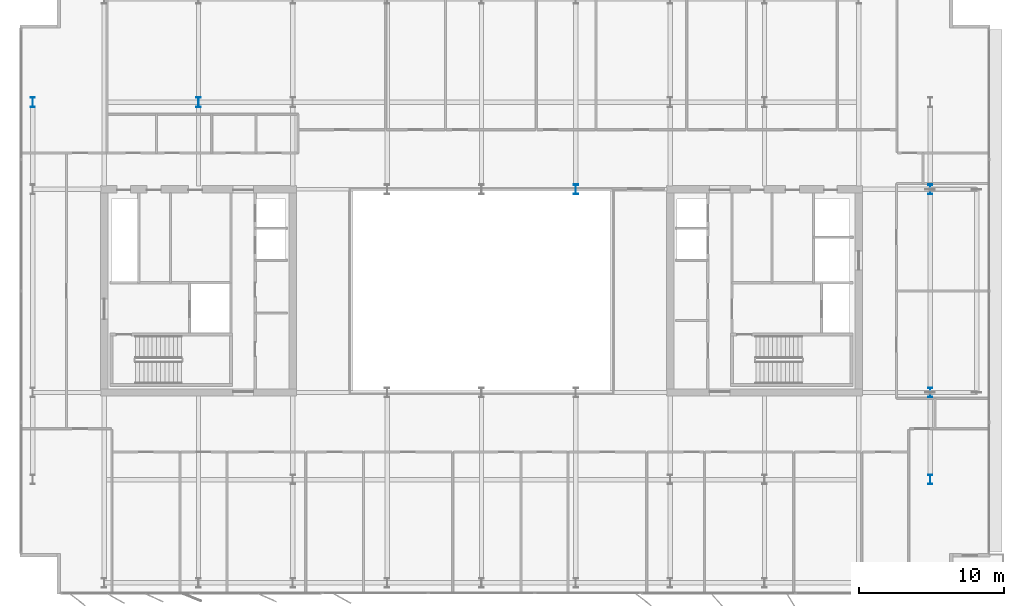
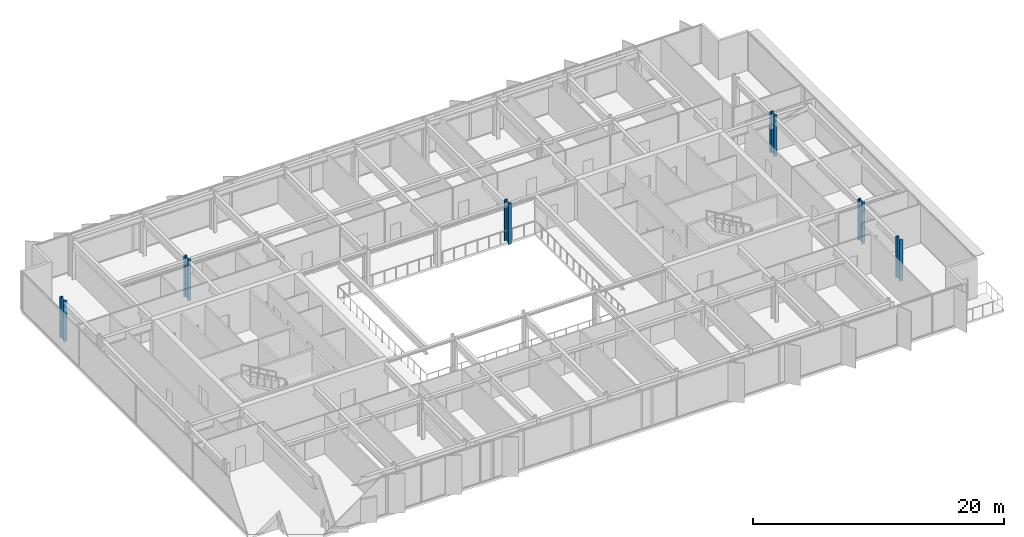
# One storey, part 2 of 20: 6 columns.
"""IFC4 building model written with IfcOpenShell, lengths in metres."""

from ifc_helpers import new_model, si_unit, direction, frame, origin, origin_2d, place, context, subcontext, project, spatial, i_section, extrude, material, material_profile, profile_set, type_object, element, save


model = new_model("IFC4")

# Units and contexts
model_context = context("Model", 3, precision=1e-05, world=origin(), true_north=direction((0.0, 1.0)))
body_context = subcontext(model_context, "Body", "Model", "MODEL_VIEW")
ifc_project = project(units=[si_unit("LENGTHUNIT", "METRE"), si_unit("AREAUNIT", "SQUARE_METRE"), si_unit("VOLUMEUNIT", "CUBIC_METRE"), si_unit("PLANEANGLEUNIT", "RADIAN"), si_unit("MASSUNIT", "GRAM", prefix="KILO")], contexts=[model_context])

# Site, building, storey
site_placement = place(None, origin())
site = spatial("IfcSite", under=ifc_project, at=site_placement, CompositionType="ELEMENT")
building_placement = place(site_placement, origin())
building = spatial("IfcBuilding", under=site, at=building_placement, Name="Putna Gate Headquarters", CompositionType="ELEMENT")
storey_placement = place(building_placement, frame((0.0, 0.0, 302.39990234375)))
storey = spatial("IfcBuildingStorey", under=building, at=storey_placement, Name="L76", CompositionType="ELEMENT", Elevation=302.39990234375)

# Columns
ifc_material = material(Name="Steel S460M", Category="steel")
ifc_material_profile_1 = material_profile(ifc_material, i_section(OverallWidth=0.304931640625, OverallDepth=0.66796875, WebThickness=0.02099609375, FlangeThickness=0.0400390625, at=origin_2d()), Name="Steel S460M")
ifc_profile_set_1 = profile_set([ifc_material_profile_1], Name="Steel S460M")
column_type_1 = type_object("IfcColumnType", Name="COL-STL-HEM650-EXT", PredefinedType="COLUMN", material=ifc_profile_set_1)
for number, where, z_axis, x_axis, name in (
    (1, (69.919921875, 13.0, 0.0), (0.0, 0.0, 1.0), (1.0, 0.0, 0.0), "L76 Column CP-E13"),
    (2, (69.919921875, 19.0, 0.0), (0.0, 0.0, 1.0), (1.0, 0.0, 0.0), "L76 Column CP-E19"),
    (3, (69.919921875, 33.0, 0.0), (0.0, 0.0, 1.0), (1.0, 0.0, 0.0), "L76 Column CP-E33"),
    (4, (8.080078125, 39.0, 0.0), (0.0, 0.0, 1.0), (1.0, 0.0, 0.0), "L76 Column CP-W39"),
):
    element("IfcColumn", number, at=place(storey_placement, frame(where, z_axis=z_axis, x_axis=x_axis)), inside=storey, type_object=column_type_1, Name=name, PredefinedType="COLUMN", context=body_context, shape_type="SweptSolid", body=[
        extrude(i_section(OverallWidth=0.304931640625, OverallDepth=0.66796875, WebThickness=0.02099609375, FlangeThickness=0.0400390625, at=origin_2d()), origin(), (0.0, 0.0, 1.0), 4.0),
    ])
ifc_material_profile_2 = material_profile(ifc_material, i_section(OverallWidth=0.304931640625, OverallDepth=0.66796875, WebThickness=0.02099609375, FlangeThickness=0.0400390625, at=origin_2d()), Name="Steel S460M")
ifc_profile_set_2 = profile_set([ifc_material_profile_2], Name="Steel S460M")
column_type_2 = type_object("IfcColumnType", Name="COL-STL-HEM650-INT", PredefinedType="COLUMN", material=ifc_profile_set_2)
for number, where, z_axis, x_axis, name in (
    (5, (19.5, 39.0, 0.0), (0.0, 0.0, 1.0), (1.0, 0.0, 0.0), "L76 Column CSI-WN"),
    (6, (45.5, 33.0, 0.0), (0.0, 0.0, 1.0), (1.0, 0.0, 0.0), "L76 Column CAI-N45"),
):
    element("IfcColumn", number, at=place(storey_placement, frame(where, z_axis=z_axis, x_axis=x_axis)), inside=storey, type_object=column_type_2, Name=name, PredefinedType="COLUMN", context=body_context, shape_type="SweptSolid", body=[
        extrude(i_section(OverallWidth=0.304931640625, OverallDepth=0.66796875, WebThickness=0.02099609375, FlangeThickness=0.0400390625, at=origin_2d()), origin(), (0.0, 0.0, 1.0), 4.0),
    ])

save(model, "model.ifc")
